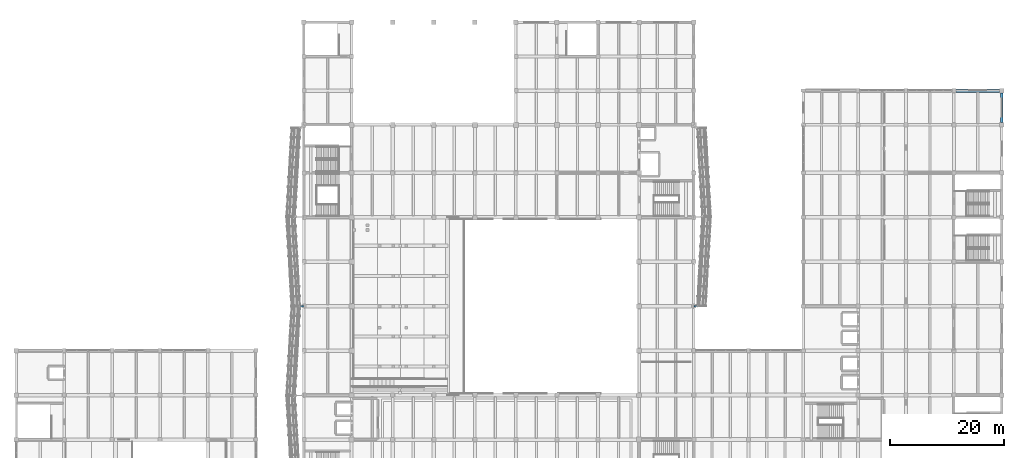
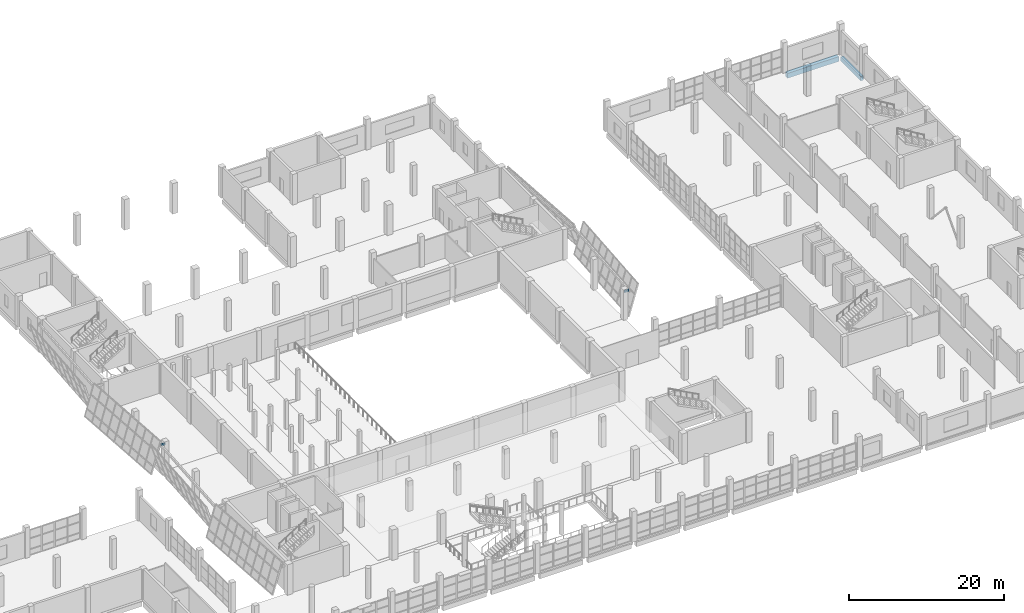
# One storey, part 63 of 91: 4 beams.
"""IFC4 building model written with IfcOpenShell, lengths in metres."""

from ifc_helpers import new_model, si_unit, direction, frame, origin, origin_2d, place, context, subcontext, project, spatial, rectangle, hollow_rectangle, extrude, material, material_profile, profile_set, type_object, element, save


model = new_model("IFC4")

# Units and contexts
model_context = context("Model", 3, precision=1e-05, world=origin(), true_north=direction((0.0, 1.0)))
body_context = subcontext(model_context, "Body", "Model", "MODEL_VIEW")
ifc_project = project(units=[si_unit("LENGTHUNIT", "METRE"), si_unit("AREAUNIT", "SQUARE_METRE"), si_unit("VOLUMEUNIT", "CUBIC_METRE"), si_unit("PLANEANGLEUNIT", "RADIAN"), si_unit("MASSUNIT", "GRAM", prefix="KILO")], contexts=[model_context])

# Site, building, storey
site_placement = place(None, origin())
site = spatial("IfcSite", under=ifc_project, at=site_placement, CompositionType="ELEMENT")
building_placement = place(site_placement, origin())
building = spatial("IfcBuilding", under=site, at=building_placement, Name="Pellamere Symphony Hall", CompositionType="ELEMENT")
storey_placement = place(building_placement, frame((0.0, 0.0, 5.39990234375)))
storey = spatial("IfcBuildingStorey", under=building, at=storey_placement, Name="L01", CompositionType="ELEMENT", Elevation=5.39990234375)

# Beams
ifc_material_1 = material(Name="Concrete 40 MPa", Category="concrete")
ifc_material_profile_1 = material_profile(ifc_material_1, rectangle(XDim=0.39990234375, YDim=0.699951171875, at=origin_2d()), Name="RC 400x700")
ifc_profile_set_1 = profile_set([ifc_material_profile_1], Name="Concrete 40 MPa")
beam_type_1 = type_object("IfcBeamType", Name="RC CB-13 400x700", PredefinedType="SPANDREL", material=ifc_profile_set_1)
beam_1_placement = place(storey_placement, frame((172.800048828125, 94.010009765625, -0.6298828125), z_axis=(0.0, 1.0, 0.0), x_axis=(-1.0, 0.0, 0.0)))
element("IfcBeam", 1, at=beam_1_placement, inside=storey, type_object=beam_type_1, Name="Girder CB-13-Y0890 (L01)", PredefinedType="SPANDREL", context=body_context, shape_type="SweptSolid", body=[
    extrude(rectangle(XDim=0.39990234375, YDim=0.699951171875, at=origin_2d()), origin(), (0.0, 0.0, 1.0), 5.179931640625),
])
ifc_material_profile_2 = material_profile(ifc_material_1, rectangle(XDim=0.56005859375, YDim=0.760009765625, at=origin_2d()), Name="RC 560x760")
ifc_profile_set_2 = profile_set([ifc_material_profile_2], Name="Concrete 40 MPa")
beam_type_2 = type_object("IfcBeamType", Name="RC CB-18 560x760", PredefinedType="BEAM", material=ifc_profile_set_2)
beam_2_placement = place(storey_placement, frame((164.77490234375, 99.60009765625, -0.659912109375), z_axis=(1.0, 0.0, 0.0), x_axis=(0.0, 1.0, 0.0)))
element("IfcBeam", 2, at=beam_2_placement, inside=storey, type_object=beam_type_2, Name="Girder CB-18-X0704 (L01)", PredefinedType="BEAM", context=body_context, shape_type="SweptSolid", body=[
    extrude(rectangle(XDim=0.56005859375, YDim=0.760009765625, at=origin_2d()), origin(), (0.0, 0.0, 1.0), 7.614990234375),
])
ifc_material_2 = material(Name="Steel CSA G40.21 350W", Category="steel")
ifc_material_profile_3 = material_profile(ifc_material_2, hollow_rectangle(XDim=0.203125, YDim=0.3046875, WallThickness=0.0126953125, at=origin_2d()), Name="HSS305X203X13")
ifc_profile_set_3 = profile_set([ifc_material_profile_3], Name="Steel CSA G40.21 350W")
beam_type_3 = type_object("IfcBeamType", Name="Steel Spandrel SB-26 HSS305X203X13", PredefinedType="SPANDREL", material=ifc_profile_set_3)
for number, where, z_axis, x_axis, name in (
    (3, (118.800048828125, 61.800048828125, 4.239990234375), (1.0, 0.0, 0.0), (0.0, 1.0, 0.0), "Crystal Ring Outrigger Bracket 030 (L01)"),
    (4, (50.39990234375, 61.800048828125, 4.239990234375), (-1.0, 0.0, 0.0), (0.0, -1.0, 0.0), "Crystal Ring Outrigger Bracket 099 (L01)"),
):
    element("IfcBeam", number, at=place(storey_placement, frame(where, z_axis=z_axis, x_axis=x_axis)), inside=storey, type_object=beam_type_3, Name=name, PredefinedType="SPANDREL", context=body_context, shape_type="SweptSolid", body=[
        extrude(hollow_rectangle(XDim=0.203125, YDim=0.3046875, WallThickness=0.0126953125, at=origin_2d()), origin(), (0.0, 0.0, 1.0), 0.64990234375),
    ])

save(model, "model.ifc")
